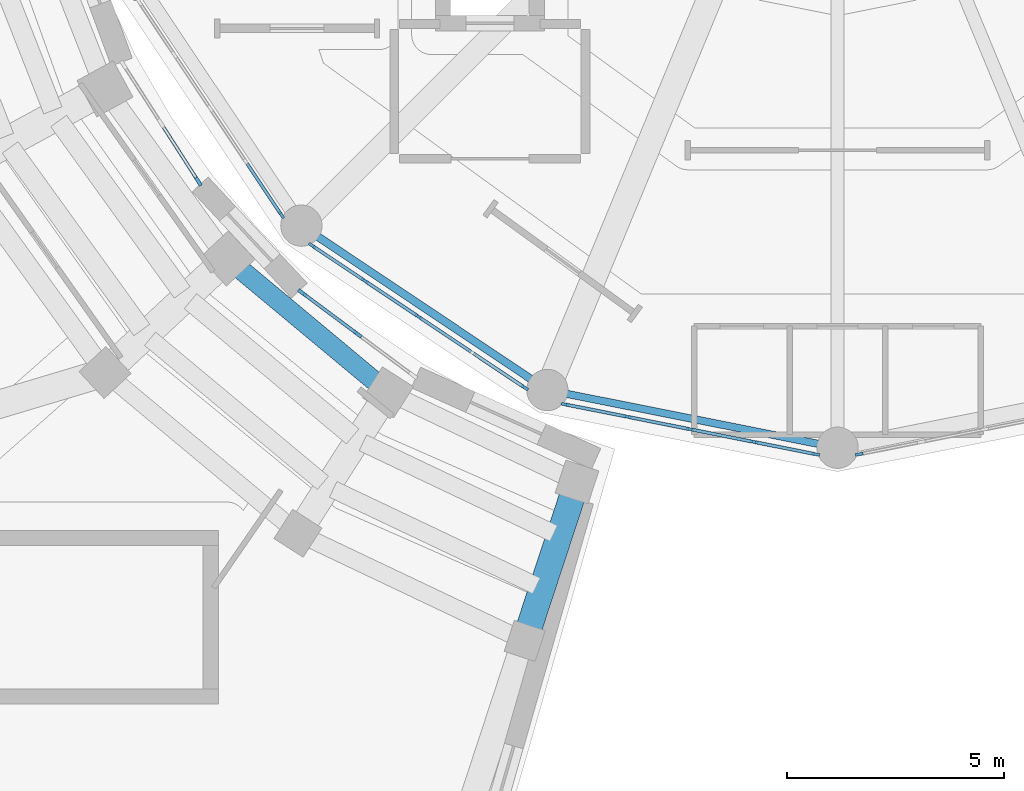
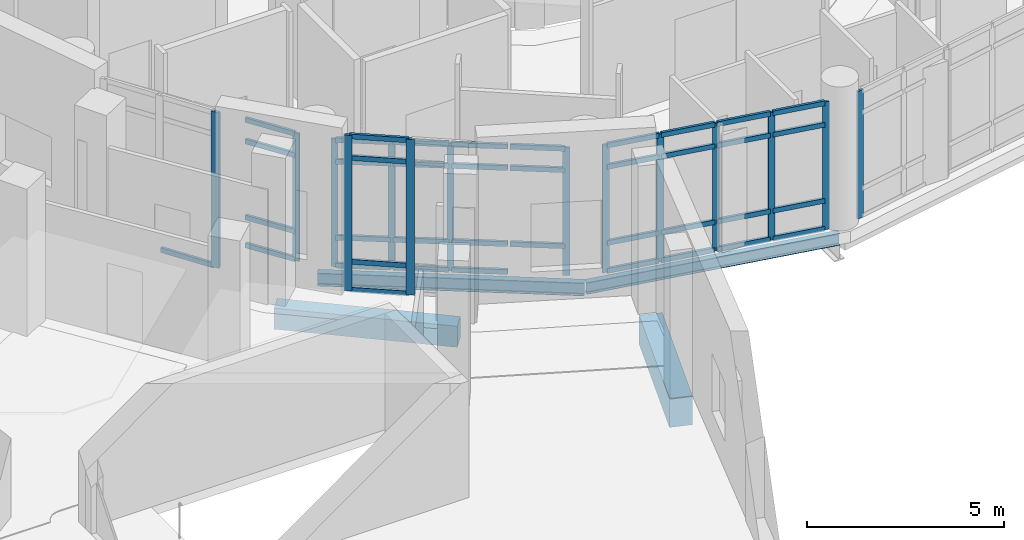
# One storey, part 12 of 89: 54 members, 4 beams, 6 elements without a shape of their own.
"""IFC4 building model written with IfcOpenShell, lengths in metres."""

from ifc_helpers import new_model, si_unit, direction, frame, origin, origin_2d, place, context, subcontext, project, spatial, rectangle, i_section, extrude, material, material_profile, profile_set, type_object, element, aggregate, save


model = new_model("IFC4")

# Units and contexts
model_context = context("Model", 3, precision=1e-05, world=origin(), true_north=direction((0.0, 1.0)))
body_context = subcontext(model_context, "Body", "Model", "MODEL_VIEW")
ifc_project = project(units=[si_unit("LENGTHUNIT", "METRE"), si_unit("AREAUNIT", "SQUARE_METRE"), si_unit("VOLUMEUNIT", "CUBIC_METRE"), si_unit("PLANEANGLEUNIT", "RADIAN"), si_unit("MASSUNIT", "GRAM", prefix="KILO")], contexts=[model_context])

# Site, building, storey
site_placement = place(None, origin())
site = spatial("IfcSite", under=ifc_project, at=site_placement, CompositionType="ELEMENT")
building_placement = place(site_placement, origin())
building = spatial("IfcBuilding", under=site, at=building_placement, Name="Soyqirgoq Riverine Aquarium", CompositionType="ELEMENT")
storey_placement = place(building_placement, frame((0.0, 0.0, 5.39990234375)))
storey = spatial("IfcBuildingStorey", under=building, at=storey_placement, Name="L02", CompositionType="ELEMENT", Elevation=5.39990234375)

# Beam
ifc_material_1 = material(Name="Concrete C40/50", Category="concrete")
ifc_material_profile_1 = material_profile(ifc_material_1, rectangle(XDim=0.449951171875, YDim=0.64990234375, at=origin_2d()), Name="RC 450x650")
ifc_profile_set_1 = profile_set([ifc_material_profile_1], Name="Concrete C40/50")
beam_type_1 = type_object("IfcBeamType", Name="Beam_RC_450x650", PredefinedType="BEAM", material=ifc_profile_set_1)
beam_1_placement = place(storey_placement, frame((41.996337890625, 43.87353515625, -0.60498046875), z_axis=(0.768301951525, -0.640087580948, 0.0), x_axis=(0.640087580948, 0.768301951525, 0.0)))
element("IfcBeam", 1, at=beam_1_placement, inside=storey, type_object=beam_type_1, Name="V2 L02 Wedge Chord Beam 0257", PredefinedType="BEAM", context=body_context, shape_type="SweptSolid", body=[
    extrude(rectangle(XDim=0.449951171875, YDim=0.64990234375, at=origin_2d()), origin(), (0.0, 0.0, 1.0), 4.712890625),
])

# Curtain wall, member
ifc_material_2 = material(Name="Anodised aluminium thermally broken triple low-E glazing", Category="aluminium")
curtain_wall_type_1 = type_object("IfcCurtainWallType", Name="CW_DrumGallery_Unitised", PredefinedType="NOTDEFINED", material=ifc_material_2)
curtain_wall_1_placement = place(storey_placement, origin())
curtain_wall_1 = element("IfcCurtainWall", 2, at=curtain_wall_1_placement, inside=storey, type_object=curtain_wall_type_1, Name="V1 L02 Curtain Wall 035", PredefinedType="NOTDEFINED")
ifc_material_3 = material(Name="Anodised aluminium 6063-T6", Category="aluminium")
ifc_material_profile_2 = material_profile(ifc_material_3, rectangle(XDim=0.06494140625, YDim=0.179931640625, at=origin_2d()), Name="ALU-M 65x180")
ifc_profile_set_2 = profile_set([ifc_material_profile_2], Name="Anodised aluminium 6063-T6")
member_type_1 = type_object("IfcMemberType", Name="CWMullion_65x180", PredefinedType="MULLION", material=ifc_profile_set_2)
member_1_placement = place(storey_placement, frame((43.200439453125, 44.908935546875, 0.0), z_axis=(0.0, 0.0, 1.0), x_axis=(0.8314732256, 0.5555648253, 0.0)))
member_1 = element("IfcMember", 3, at=member_1_placement, type_object=member_type_1, Name="CW-01 mullion 5", PredefinedType="MULLION", context=body_context, shape_type="SweptSolid", body=[
    extrude(rectangle(XDim=0.06494140625, YDim=0.179931640625, at=origin_2d()), origin(), (0.0, 0.0, 1.0), 3.9501953125),
])

# Curtain wall, members
curtain_wall_2_placement = place(storey_placement, origin())
curtain_wall_2 = element("IfcCurtainWall", 4, at=curtain_wall_2_placement, inside=storey, type_object=curtain_wall_type_1, Name="V1 L02 Curtain Wall 042", PredefinedType="NOTDEFINED")
member_2_placement = place(storey_placement, frame((43.908935546875, 44.200439453125, 0.0), z_axis=(0.0, 0.0, 1.0), x_axis=(0.5555648253, 0.8314732256, 0.0)))
member_2 = element("IfcMember", 5, at=member_2_placement, type_object=member_type_1, Name="CW-01 mullion 1", PredefinedType="MULLION", context=body_context, shape_type="SweptSolid", body=[
    extrude(rectangle(XDim=0.06494140625, YDim=0.179931640625, at=origin_2d()), origin(), (0.0, 0.0, 1.0), 3.9501953125),
])
member_3_placement = place(storey_placement, frame((45.11865234375, 43.39208984375, 0.0), z_axis=(0.0, 0.0, 1.0), x_axis=(0.5555648253, 0.8314732256, 0.0)))
member_3 = element("IfcMember", 6, at=member_3_placement, type_object=member_type_1, Name="CW-01 mullion 2", PredefinedType="MULLION", context=body_context, shape_type="SweptSolid", body=[
    extrude(rectangle(XDim=0.06494140625, YDim=0.179931640625, at=origin_2d()), origin(), (0.0, 0.0, 1.0), 3.9501953125),
])
member_4_placement = place(storey_placement, frame((46.35546875, 42.565673828125, 0.0), z_axis=(0.0, 0.0, 1.0), x_axis=(0.5555648253, 0.8314732256, 0.0)))
member_4 = element("IfcMember", 7, at=member_4_placement, type_object=member_type_1, Name="CW-01 mullion 3", PredefinedType="MULLION", context=body_context, shape_type="SweptSolid", body=[
    extrude(rectangle(XDim=0.06494140625, YDim=0.179931640625, at=origin_2d()), origin(), (0.0, 0.0, 1.0), 3.9501953125),
])
member_5_placement = place(storey_placement, frame((48.8017578125, 40.93115234375, 0.0), z_axis=(0.0, 0.0, 1.0), x_axis=(0.5555648253, 0.8314732256, 0.0)))
member_5 = element("IfcMember", 8, at=member_5_placement, type_object=member_type_1, Name="CW-01 mullion 5", PredefinedType="MULLION", context=body_context, shape_type="SweptSolid", body=[
    extrude(rectangle(XDim=0.06494140625, YDim=0.179931640625, at=origin_2d()), origin(), (0.0, 0.0, 1.0), 3.9501953125),
])

curtain_wall_3_placement = place(storey_placement, origin())
curtain_wall_3 = element("IfcCurtainWall", 9, at=curtain_wall_3_placement, inside=storey, type_object=curtain_wall_type_1, Name="V1 L02 Curtain Wall 049", PredefinedType="NOTDEFINED")
member_6_placement = place(storey_placement, frame((49.7275390625, 40.547607421875, 0.0), z_axis=(0.0, 0.0, 1.0), x_axis=(0.195088165618, 0.980785709335, 0.0)))
member_6 = element("IfcMember", 10, at=member_6_placement, type_object=member_type_1, Name="CW-01 mullion 1", PredefinedType="MULLION", context=body_context, shape_type="SweptSolid", body=[
    extrude(rectangle(XDim=0.06494140625, YDim=0.179931640625, at=origin_2d()), origin(), (0.0, 0.0, 1.0), 3.9501953125),
])
member_7_placement = place(storey_placement, frame((51.154541015625, 40.263916015625, 0.0), z_axis=(0.0, 0.0, 1.0), x_axis=(0.195088165618, 0.980785709335, 0.0)))
member_7 = element("IfcMember", 11, at=member_7_placement, type_object=member_type_1, Name="CW-01 mullion 2", PredefinedType="MULLION", context=body_context, shape_type="SweptSolid", body=[
    extrude(rectangle(XDim=0.06494140625, YDim=0.179931640625, at=origin_2d()), origin(), (0.0, 0.0, 1.0), 3.9501953125),
])
member_8_placement = place(storey_placement, frame((52.61328125, 39.9736328125, 0.0), z_axis=(0.0, 0.0, 1.0), x_axis=(0.195088165618, 0.980785709335, 0.0)))
member_8 = element("IfcMember", 12, at=member_8_placement, type_object=member_type_1, Name="CW-01 mullion 3", PredefinedType="MULLION", context=body_context, shape_type="SweptSolid", body=[
    extrude(rectangle(XDim=0.06494140625, YDim=0.179931640625, at=origin_2d()), origin(), (0.0, 0.0, 1.0), 3.9501953125),
])
member_9_placement = place(storey_placement, frame((54.072021484375, 39.68359375, 0.0), z_axis=(0.0, 0.0, 1.0), x_axis=(0.195088165618, 0.980785709335, 0.0)))
member_9 = element("IfcMember", 13, at=member_9_placement, type_object=member_type_1, Name="CW-01 mullion 4", PredefinedType="MULLION", context=body_context, shape_type="SweptSolid", body=[
    extrude(rectangle(XDim=0.06494140625, YDim=0.179931640625, at=origin_2d()), origin(), (0.0, 0.0, 1.0), 3.9501953125),
])
member_10_placement = place(storey_placement, frame((55.4990234375, 39.399658203125, 0.0), z_axis=(0.0, 0.0, 1.0), x_axis=(0.195088165618, 0.980785709335, 0.0)))
member_10 = element("IfcMember", 14, at=member_10_placement, type_object=member_type_1, Name="CW-01 mullion 5", PredefinedType="MULLION", context=body_context, shape_type="SweptSolid", body=[
    extrude(rectangle(XDim=0.06494140625, YDim=0.179931640625, at=origin_2d()), origin(), (0.0, 0.0, 1.0), 3.9501953125),
])

# Curtain wall, member
curtain_wall_4_placement = place(storey_placement, origin())
curtain_wall_4 = element("IfcCurtainWall", 15, at=curtain_wall_4_placement, inside=storey, type_object=curtain_wall_type_1, Name="V1 L02 Curtain Wall 056", PredefinedType="NOTDEFINED")
member_11_placement = place(storey_placement, frame((56.5009765625, 39.399658203125, 0.0), z_axis=(0.0, 0.0, 1.0), x_axis=(-0.195088165618, 0.980785709335, 0.0)))
member_11 = element("IfcMember", 16, at=member_11_placement, type_object=member_type_1, Name="CW-01 mullion 1", PredefinedType="MULLION", context=body_context, shape_type="SweptSolid", body=[
    extrude(rectangle(XDim=0.06494140625, YDim=0.179931640625, at=origin_2d()), origin(), (0.0, 0.0, 1.0), 3.9501953125),
])
aggregate(curtain_wall_4, [member_11])

ifc_material_4 = material(Name="Anodised aluminium thermally broken double low-E glazing", Category="aluminium")
curtain_wall_type_2 = type_object("IfcCurtainWallType", Name="CW_Wedge_NorthBay", PredefinedType="NOTDEFINED", material=ifc_material_4)
curtain_wall_5_placement = place(storey_placement, origin())
curtain_wall_5 = element("IfcCurtainWall", 17, at=curtain_wall_5_placement, inside=storey, type_object=curtain_wall_type_2, Name="V2 L02 Curtain Wall 081", PredefinedType="NOTDEFINED")
ifc_material_5 = material(Name="Anodised aluminium 6063-T6", Category="aluminium")
ifc_material_profile_3 = material_profile(ifc_material_5, rectangle(XDim=0.080078125, YDim=0.219970703125, at=origin_2d()), Name="ALU-M 80x220")
ifc_profile_set_3 = profile_set([ifc_material_profile_3], Name="Anodised aluminium 6063-T6")
member_type_2 = type_object("IfcMemberType", Name="CWMullion_80x220", PredefinedType="MULLION", material=ifc_profile_set_3)
member_12_placement = place(storey_placement, frame((41.2900390625, 45.677001953125, 0.0), z_axis=(0.0, 0.0, 1.0), x_axis=(0.841818826764, 0.539760190183, 0.0)))
member_12 = element("IfcMember", 18, at=member_12_placement, type_object=member_type_2, Name="CW-03 mullion 3", PredefinedType="MULLION", context=body_context, shape_type="SweptSolid", body=[
    extrude(rectangle(XDim=0.080078125, YDim=0.219970703125, at=origin_2d()), origin(), (0.0, 0.0, 1.0), 4.81005859375),
])

# Curtain wall, members
curtain_wall_6_placement = place(storey_placement, origin())
curtain_wall_6 = element("IfcCurtainWall", 19, at=curtain_wall_6_placement, inside=storey, type_object=curtain_wall_type_2, Name="V2 L02 Curtain Wall 082", PredefinedType="NOTDEFINED")
member_13_placement = place(storey_placement, frame((43.678466796875, 43.11572265625, 0.0), z_axis=(0.0, 0.0, 1.0), x_axis=(0.597148753982, 0.802130516573, 0.0)))
member_13 = element("IfcMember", 20, at=member_13_placement, type_object=member_type_2, Name="CW-03 mullion 1", PredefinedType="MULLION", context=body_context, shape_type="SweptSolid", body=[
    extrude(rectangle(XDim=0.080078125, YDim=0.219970703125, at=origin_2d()), origin(), (0.0, 0.0, 1.0), 4.81005859375),
])
member_14_placement = place(storey_placement, frame((44.95556640625, 42.164794921875, 0.0), z_axis=(0.0, 0.0, 1.0), x_axis=(0.597148753982, 0.802130516573, 0.0)))
member_14 = element("IfcMember", 21, at=member_14_placement, type_object=member_type_2, Name="CW-03 mullion 2", PredefinedType="MULLION", context=body_context, shape_type="SweptSolid", body=[
    extrude(rectangle(XDim=0.080078125, YDim=0.219970703125, at=origin_2d()), origin(), (0.0, 0.0, 1.0), 4.81005859375),
])

# Member
ifc_material_6 = material(Name="Anodised aluminium 6063-T6", Category="aluminium")
ifc_material_profile_4 = material_profile(ifc_material_6, rectangle(XDim=0.074951171875, YDim=0.14990234375, at=origin_2d()), Name="ALU-T 75x150")
ifc_profile_set_4 = profile_set([ifc_material_profile_4], Name="Anodised aluminium 6063-T6")
member_type_3 = type_object("IfcMemberType", Name="CWTransom_75x150", PredefinedType="USERDEFINED", material=ifc_profile_set_4)
member_15_placement = place(storey_placement, frame((42.41015625, 46.091552734375, 0.03759765625), z_axis=(0.555551087144, -0.831482404849, 0.0), x_axis=(0.831482404849, 0.555551087144, 0.0)))
member_15 = element("IfcMember", 22, at=member_15_placement, type_object=member_type_3, Name="CW-01 transom 4.1", ObjectType="TRANSOM", PredefinedType="USERDEFINED", context=body_context, shape_type="SweptSolid", body=[
    extrude(rectangle(XDim=0.074951171875, YDim=0.14990234375, at=origin_2d()), origin(), (0.0, 0.0, 1.0), 1.389892578125),
])

member_16_placement = place(storey_placement, frame((42.41015625, 46.091552734375, 0.900146484375), z_axis=(0.555551087144, -0.831482404849, 0.0), x_axis=(0.831482404849, 0.555551087144, 0.0)))
member_16 = element("IfcMember", 23, at=member_16_placement, type_object=member_type_3, Name="CW-01 transom 4.2", ObjectType="TRANSOM", PredefinedType="USERDEFINED", context=body_context, shape_type="SweptSolid", body=[
    extrude(rectangle(XDim=0.074951171875, YDim=0.14990234375, at=origin_2d()), origin(), (0.0, 0.0, 1.0), 1.389892578125),
])

member_17_placement = place(storey_placement, frame((42.41015625, 46.091552734375, 3.25), z_axis=(0.555551087144, -0.831482404849, 0.0), x_axis=(0.831482404849, 0.555551087144, 0.0)))
member_17 = element("IfcMember", 24, at=member_17_placement, type_object=member_type_3, Name="CW-01 transom 4.3", ObjectType="TRANSOM", PredefinedType="USERDEFINED", context=body_context, shape_type="SweptSolid", body=[
    extrude(rectangle(XDim=0.074951171875, YDim=0.14990234375, at=origin_2d()), origin(), (0.0, 0.0, 1.0), 1.389892578125),
])

member_18_placement = place(storey_placement, frame((42.41015625, 46.091552734375, 3.91259765625), z_axis=(0.555551087144, -0.831482404849, 0.0), x_axis=(0.831482404849, 0.555551087144, 0.0)))
member_18 = element("IfcMember", 25, at=member_18_placement, type_object=member_type_3, Name="CW-01 transom 4.4", ObjectType="TRANSOM", PredefinedType="USERDEFINED", context=body_context, shape_type="SweptSolid", body=[
    extrude(rectangle(XDim=0.074951171875, YDim=0.14990234375, at=origin_2d()), origin(), (0.0, 0.0, 1.0), 1.389892578125),
])

aggregate(curtain_wall_1, [member_1, member_15, member_16, member_17, member_18])

member_19_placement = place(storey_placement, frame((43.935791015625, 44.182373046875, 0.03759765625), z_axis=(0.831482404849, -0.555551087144, 0.0), x_axis=(0.555551087144, 0.831482404849, 0.0)))
member_19 = element("IfcMember", 26, at=member_19_placement, type_object=member_type_3, Name="CW-01 transom 1.1", ObjectType="TRANSOM", PredefinedType="USERDEFINED", context=body_context, shape_type="SweptSolid", body=[
    extrude(rectangle(XDim=0.074951171875, YDim=0.14990234375, at=origin_2d()), origin(), (0.0, 0.0, 1.0), 1.389892578125),
])

member_20_placement = place(storey_placement, frame((43.935791015625, 44.182373046875, 0.900146484375), z_axis=(0.831482404849, -0.555551087144, 0.0), x_axis=(0.555551087144, 0.831482404849, 0.0)))
member_20 = element("IfcMember", 27, at=member_20_placement, type_object=member_type_3, Name="CW-01 transom 1.2", ObjectType="TRANSOM", PredefinedType="USERDEFINED", context=body_context, shape_type="SweptSolid", body=[
    extrude(rectangle(XDim=0.074951171875, YDim=0.14990234375, at=origin_2d()), origin(), (0.0, 0.0, 1.0), 1.389892578125),
])

member_21_placement = place(storey_placement, frame((43.935791015625, 44.182373046875, 3.25), z_axis=(0.831482404849, -0.555551087144, 0.0), x_axis=(0.555551087144, 0.831482404849, 0.0)))
member_21 = element("IfcMember", 28, at=member_21_placement, type_object=member_type_3, Name="CW-01 transom 1.3", ObjectType="TRANSOM", PredefinedType="USERDEFINED", context=body_context, shape_type="SweptSolid", body=[
    extrude(rectangle(XDim=0.074951171875, YDim=0.14990234375, at=origin_2d()), origin(), (0.0, 0.0, 1.0), 1.389892578125),
])

member_22_placement = place(storey_placement, frame((43.935791015625, 44.182373046875, 3.91259765625), z_axis=(0.831482404849, -0.555551087144, 0.0), x_axis=(0.555551087144, 0.831482404849, 0.0)))
member_22 = element("IfcMember", 29, at=member_22_placement, type_object=member_type_3, Name="CW-01 transom 1.4", ObjectType="TRANSOM", PredefinedType="USERDEFINED", context=body_context, shape_type="SweptSolid", body=[
    extrude(rectangle(XDim=0.074951171875, YDim=0.14990234375, at=origin_2d()), origin(), (0.0, 0.0, 1.0), 1.389892578125),
])

member_23_placement = place(storey_placement, frame((45.1455078125, 43.3740234375, 0.03759765625), z_axis=(0.831495416377, -0.555531612552, 0.0), x_axis=(0.555531612552, 0.831495416377, 0.0)))
member_23 = element("IfcMember", 30, at=member_23_placement, type_object=member_type_3, Name="CW-01 transom 2.1", ObjectType="TRANSOM", PredefinedType="USERDEFINED", context=body_context, shape_type="SweptSolid", body=[
    extrude(rectangle(XDim=0.074951171875, YDim=0.14990234375, at=origin_2d()), origin(), (0.0, 0.0, 1.0), 1.422607421875),
])

member_24_placement = place(storey_placement, frame((45.1455078125, 43.3740234375, 0.900146484375), z_axis=(0.831495416377, -0.555531612552, 0.0), x_axis=(0.555531612552, 0.831495416377, 0.0)))
member_24 = element("IfcMember", 31, at=member_24_placement, type_object=member_type_3, Name="CW-01 transom 2.2", ObjectType="TRANSOM", PredefinedType="USERDEFINED", context=body_context, shape_type="SweptSolid", body=[
    extrude(rectangle(XDim=0.074951171875, YDim=0.14990234375, at=origin_2d()), origin(), (0.0, 0.0, 1.0), 1.422607421875),
])

member_25_placement = place(storey_placement, frame((45.1455078125, 43.3740234375, 3.25), z_axis=(0.831495416377, -0.555531612552, 0.0), x_axis=(0.555531612552, 0.831495416377, 0.0)))
member_25 = element("IfcMember", 32, at=member_25_placement, type_object=member_type_3, Name="CW-01 transom 2.3", ObjectType="TRANSOM", PredefinedType="USERDEFINED", context=body_context, shape_type="SweptSolid", body=[
    extrude(rectangle(XDim=0.074951171875, YDim=0.14990234375, at=origin_2d()), origin(), (0.0, 0.0, 1.0), 1.422607421875),
])

member_26_placement = place(storey_placement, frame((45.1455078125, 43.3740234375, 3.91259765625), z_axis=(0.831495416377, -0.555531612552, 0.0), x_axis=(0.555531612552, 0.831495416377, 0.0)))
member_26 = element("IfcMember", 33, at=member_26_placement, type_object=member_type_3, Name="CW-01 transom 2.4", ObjectType="TRANSOM", PredefinedType="USERDEFINED", context=body_context, shape_type="SweptSolid", body=[
    extrude(rectangle(XDim=0.074951171875, YDim=0.14990234375, at=origin_2d()), origin(), (0.0, 0.0, 1.0), 1.422607421875),
])

member_27_placement = place(storey_placement, frame((46.38232421875, 42.547607421875, 0.03759765625), z_axis=(0.831495416377, -0.555531612552, 0.0), x_axis=(0.555531612552, 0.831495416377, 0.0)))
member_27 = element("IfcMember", 34, at=member_27_placement, type_object=member_type_3, Name="CW-01 transom 3.1", ObjectType="TRANSOM", PredefinedType="USERDEFINED", context=body_context, shape_type="SweptSolid", body=[
    extrude(rectangle(XDim=0.074951171875, YDim=0.14990234375, at=origin_2d()), origin(), (0.0, 0.0, 1.0), 1.422607421875),
])

member_28_placement = place(storey_placement, frame((46.38232421875, 42.547607421875, 0.900146484375), z_axis=(0.831495416377, -0.555531612552, 0.0), x_axis=(0.555531612552, 0.831495416377, 0.0)))
member_28 = element("IfcMember", 35, at=member_28_placement, type_object=member_type_3, Name="CW-01 transom 3.2", ObjectType="TRANSOM", PredefinedType="USERDEFINED", context=body_context, shape_type="SweptSolid", body=[
    extrude(rectangle(XDim=0.074951171875, YDim=0.14990234375, at=origin_2d()), origin(), (0.0, 0.0, 1.0), 1.422607421875),
])

member_29_placement = place(storey_placement, frame((46.38232421875, 42.547607421875, 3.25), z_axis=(0.831495416377, -0.555531612552, 0.0), x_axis=(0.555531612552, 0.831495416377, 0.0)))
member_29 = element("IfcMember", 36, at=member_29_placement, type_object=member_type_3, Name="CW-01 transom 3.3", ObjectType="TRANSOM", PredefinedType="USERDEFINED", context=body_context, shape_type="SweptSolid", body=[
    extrude(rectangle(XDim=0.074951171875, YDim=0.14990234375, at=origin_2d()), origin(), (0.0, 0.0, 1.0), 1.422607421875),
])

member_30_placement = place(storey_placement, frame((46.38232421875, 42.547607421875, 3.91259765625), z_axis=(0.831495416377, -0.555531612552, 0.0), x_axis=(0.555531612552, 0.831495416377, 0.0)))
member_30 = element("IfcMember", 37, at=member_30_placement, type_object=member_type_3, Name="CW-01 transom 3.4", ObjectType="TRANSOM", PredefinedType="USERDEFINED", context=body_context, shape_type="SweptSolid", body=[
    extrude(rectangle(XDim=0.074951171875, YDim=0.14990234375, at=origin_2d()), origin(), (0.0, 0.0, 1.0), 1.422607421875),
])

member_31_placement = place(storey_placement, frame((47.619140625, 41.721435546875, 0.900146484375), z_axis=(0.831482404849, -0.555551087144, 0.0), x_axis=(0.555551087144, 0.831482404849, 0.0)))
member_31 = element("IfcMember", 38, at=member_31_placement, type_object=member_type_3, Name="CW-01 transom 4.2", ObjectType="TRANSOM", PredefinedType="USERDEFINED", context=body_context, shape_type="SweptSolid", body=[
    extrude(rectangle(XDim=0.074951171875, YDim=0.14990234375, at=origin_2d()), origin(), (0.0, 0.0, 1.0), 1.389892578125),
])

member_32_placement = place(storey_placement, frame((47.619140625, 41.721435546875, 3.25), z_axis=(0.831482404849, -0.555551087144, 0.0), x_axis=(0.555551087144, 0.831482404849, 0.0)))
member_32 = element("IfcMember", 39, at=member_32_placement, type_object=member_type_3, Name="CW-01 transom 4.3", ObjectType="TRANSOM", PredefinedType="USERDEFINED", context=body_context, shape_type="SweptSolid", body=[
    extrude(rectangle(XDim=0.074951171875, YDim=0.14990234375, at=origin_2d()), origin(), (0.0, 0.0, 1.0), 1.389892578125),
])

member_33_placement = place(storey_placement, frame((47.619140625, 41.721435546875, 3.91259765625), z_axis=(0.831482404849, -0.555551087144, 0.0), x_axis=(0.555551087144, 0.831482404849, 0.0)))
member_33 = element("IfcMember", 40, at=member_33_placement, type_object=member_type_3, Name="CW-01 transom 4.4", ObjectType="TRANSOM", PredefinedType="USERDEFINED", context=body_context, shape_type="SweptSolid", body=[
    extrude(rectangle(XDim=0.074951171875, YDim=0.14990234375, at=origin_2d()), origin(), (0.0, 0.0, 1.0), 1.389892578125),
])

aggregate(curtain_wall_2, [member_2, member_3, member_4, member_5, member_19, member_20, member_21, member_22, member_23, member_24, member_25, member_26, member_27, member_28, member_29, member_30, member_31, member_32, member_33])

member_34_placement = place(storey_placement, frame((49.75927734375, 40.541259765625, 0.03759765625), z_axis=(0.980809694645, -0.194967543169, 0.0), x_axis=(0.194967543169, 0.980809694645, 0.0)))
member_34 = element("IfcMember", 41, at=member_34_placement, type_object=member_type_3, Name="CW-01 transom 1.1", ObjectType="TRANSOM", PredefinedType="USERDEFINED", context=body_context, shape_type="SweptSolid", body=[
    extrude(rectangle(XDim=0.074951171875, YDim=0.14990234375, at=origin_2d()), origin(), (0.0, 0.0, 1.0), 1.389892578125),
])

member_35_placement = place(storey_placement, frame((49.75927734375, 40.541259765625, 0.900146484375), z_axis=(0.980809694645, -0.194967543169, 0.0), x_axis=(0.194967543169, 0.980809694645, 0.0)))
member_35 = element("IfcMember", 42, at=member_35_placement, type_object=member_type_3, Name="CW-01 transom 1.2", ObjectType="TRANSOM", PredefinedType="USERDEFINED", context=body_context, shape_type="SweptSolid", body=[
    extrude(rectangle(XDim=0.074951171875, YDim=0.14990234375, at=origin_2d()), origin(), (0.0, 0.0, 1.0), 1.389892578125),
])

member_36_placement = place(storey_placement, frame((49.75927734375, 40.541259765625, 3.25), z_axis=(0.980809694645, -0.194967543169, 0.0), x_axis=(0.194967543169, 0.980809694645, 0.0)))
member_36 = element("IfcMember", 43, at=member_36_placement, type_object=member_type_3, Name="CW-01 transom 1.3", ObjectType="TRANSOM", PredefinedType="USERDEFINED", context=body_context, shape_type="SweptSolid", body=[
    extrude(rectangle(XDim=0.074951171875, YDim=0.14990234375, at=origin_2d()), origin(), (0.0, 0.0, 1.0), 1.389892578125),
])

member_37_placement = place(storey_placement, frame((49.75927734375, 40.541259765625, 3.91259765625), z_axis=(0.980809694645, -0.194967543169, 0.0), x_axis=(0.194967543169, 0.980809694645, 0.0)))
member_37 = element("IfcMember", 44, at=member_37_placement, type_object=member_type_3, Name="CW-01 transom 1.4", ObjectType="TRANSOM", PredefinedType="USERDEFINED", context=body_context, shape_type="SweptSolid", body=[
    extrude(rectangle(XDim=0.074951171875, YDim=0.14990234375, at=origin_2d()), origin(), (0.0, 0.0, 1.0), 1.389892578125),
])

member_38_placement = place(storey_placement, frame((51.186279296875, 40.257568359375, 0.03759765625), z_axis=(0.980771657116, -0.195158798415, 0.0), x_axis=(0.195158798415, 0.980771657116, 0.0)))
member_38 = element("IfcMember", 45, at=member_38_placement, type_object=member_type_3, Name="CW-01 transom 2.1", ObjectType="TRANSOM", PredefinedType="USERDEFINED", context=body_context, shape_type="SweptSolid", body=[
    extrude(rectangle(XDim=0.074951171875, YDim=0.14990234375, at=origin_2d()), origin(), (0.0, 0.0, 1.0), 1.42236328125),
])

member_39_placement = place(storey_placement, frame((51.186279296875, 40.257568359375, 0.900146484375), z_axis=(0.980771657116, -0.195158798415, 0.0), x_axis=(0.195158798415, 0.980771657116, 0.0)))
member_39 = element("IfcMember", 46, at=member_39_placement, type_object=member_type_3, Name="CW-01 transom 2.2", ObjectType="TRANSOM", PredefinedType="USERDEFINED", context=body_context, shape_type="SweptSolid", body=[
    extrude(rectangle(XDim=0.074951171875, YDim=0.14990234375, at=origin_2d()), origin(), (0.0, 0.0, 1.0), 1.42236328125),
])

member_40_placement = place(storey_placement, frame((51.186279296875, 40.257568359375, 3.25), z_axis=(0.980771657116, -0.195158798415, 0.0), x_axis=(0.195158798415, 0.980771657116, 0.0)))
member_40 = element("IfcMember", 47, at=member_40_placement, type_object=member_type_3, Name="CW-01 transom 2.3", ObjectType="TRANSOM", PredefinedType="USERDEFINED", context=body_context, shape_type="SweptSolid", body=[
    extrude(rectangle(XDim=0.074951171875, YDim=0.14990234375, at=origin_2d()), origin(), (0.0, 0.0, 1.0), 1.42236328125),
])

member_41_placement = place(storey_placement, frame((51.186279296875, 40.257568359375, 3.91259765625), z_axis=(0.980771657116, -0.195158798415, 0.0), x_axis=(0.195158798415, 0.980771657116, 0.0)))
member_41 = element("IfcMember", 48, at=member_41_placement, type_object=member_type_3, Name="CW-01 transom 2.4", ObjectType="TRANSOM", PredefinedType="USERDEFINED", context=body_context, shape_type="SweptSolid", body=[
    extrude(rectangle(XDim=0.074951171875, YDim=0.14990234375, at=origin_2d()), origin(), (0.0, 0.0, 1.0), 1.42236328125),
])

member_42_placement = place(storey_placement, frame((52.64501953125, 39.96728515625, 0.03759765625), z_axis=(0.980778192848, -0.195125950178, 0.0), x_axis=(0.195125950178, 0.980778192848, 0.0)))
member_42 = element("IfcMember", 49, at=member_42_placement, type_object=member_type_3, Name="CW-01 transom 3.1", ObjectType="TRANSOM", PredefinedType="USERDEFINED", context=body_context, shape_type="SweptSolid", body=[
    extrude(rectangle(XDim=0.074951171875, YDim=0.14990234375, at=origin_2d()), origin(), (0.0, 0.0, 1.0), 1.422607421875),
])

member_43_placement = place(storey_placement, frame((52.64501953125, 39.96728515625, 0.900146484375), z_axis=(0.980778192848, -0.195125950178, 0.0), x_axis=(0.195125950178, 0.980778192848, 0.0)))
member_43 = element("IfcMember", 50, at=member_43_placement, type_object=member_type_3, Name="CW-01 transom 3.2", ObjectType="TRANSOM", PredefinedType="USERDEFINED", context=body_context, shape_type="SweptSolid", body=[
    extrude(rectangle(XDim=0.074951171875, YDim=0.14990234375, at=origin_2d()), origin(), (0.0, 0.0, 1.0), 1.422607421875),
])

member_44_placement = place(storey_placement, frame((52.64501953125, 39.96728515625, 3.25), z_axis=(0.980778192848, -0.195125950178, 0.0), x_axis=(0.195125950178, 0.980778192848, 0.0)))
member_44 = element("IfcMember", 51, at=member_44_placement, type_object=member_type_3, Name="CW-01 transom 3.3", ObjectType="TRANSOM", PredefinedType="USERDEFINED", context=body_context, shape_type="SweptSolid", body=[
    extrude(rectangle(XDim=0.074951171875, YDim=0.14990234375, at=origin_2d()), origin(), (0.0, 0.0, 1.0), 1.422607421875),
])

member_45_placement = place(storey_placement, frame((52.64501953125, 39.96728515625, 3.91259765625), z_axis=(0.980778192848, -0.195125950178, 0.0), x_axis=(0.195125950178, 0.980778192848, 0.0)))
member_45 = element("IfcMember", 52, at=member_45_placement, type_object=member_type_3, Name="CW-01 transom 3.4", ObjectType="TRANSOM", PredefinedType="USERDEFINED", context=body_context, shape_type="SweptSolid", body=[
    extrude(rectangle(XDim=0.074951171875, YDim=0.14990234375, at=origin_2d()), origin(), (0.0, 0.0, 1.0), 1.422607421875),
])

member_46_placement = place(storey_placement, frame((54.10400390625, 39.67724609375, 0.03759765625), z_axis=(0.980769403258, -0.195170124847, 0.0), x_axis=(0.195170124847, 0.980769403258, 0.0)))
member_46 = element("IfcMember", 53, at=member_46_placement, type_object=member_type_3, Name="CW-01 transom 4.1", ObjectType="TRANSOM", PredefinedType="USERDEFINED", context=body_context, shape_type="SweptSolid", body=[
    extrude(rectangle(XDim=0.074951171875, YDim=0.14990234375, at=origin_2d()), origin(), (0.0, 0.0, 1.0), 1.3896484375),
])

member_47_placement = place(storey_placement, frame((54.10400390625, 39.67724609375, 0.900146484375), z_axis=(0.980769403258, -0.195170124847, 0.0), x_axis=(0.195170124847, 0.980769403258, 0.0)))
member_47 = element("IfcMember", 54, at=member_47_placement, type_object=member_type_3, Name="CW-01 transom 4.2", ObjectType="TRANSOM", PredefinedType="USERDEFINED", context=body_context, shape_type="SweptSolid", body=[
    extrude(rectangle(XDim=0.074951171875, YDim=0.14990234375, at=origin_2d()), origin(), (0.0, 0.0, 1.0), 1.3896484375),
])

member_48_placement = place(storey_placement, frame((54.10400390625, 39.67724609375, 3.25), z_axis=(0.980769403258, -0.195170124847, 0.0), x_axis=(0.195170124847, 0.980769403258, 0.0)))
member_48 = element("IfcMember", 55, at=member_48_placement, type_object=member_type_3, Name="CW-01 transom 4.3", ObjectType="TRANSOM", PredefinedType="USERDEFINED", context=body_context, shape_type="SweptSolid", body=[
    extrude(rectangle(XDim=0.074951171875, YDim=0.14990234375, at=origin_2d()), origin(), (0.0, 0.0, 1.0), 1.3896484375),
])

member_49_placement = place(storey_placement, frame((54.10400390625, 39.67724609375, 3.91259765625), z_axis=(0.980769403258, -0.195170124847, 0.0), x_axis=(0.195170124847, 0.980769403258, 0.0)))
member_49 = element("IfcMember", 56, at=member_49_placement, type_object=member_type_3, Name="CW-01 transom 4.4", ObjectType="TRANSOM", PredefinedType="USERDEFINED", context=body_context, shape_type="SweptSolid", body=[
    extrude(rectangle(XDim=0.074951171875, YDim=0.14990234375, at=origin_2d()), origin(), (0.0, 0.0, 1.0), 1.3896484375),
])

aggregate(curtain_wall_3, [member_6, member_7, member_8, member_9, member_10, member_34, member_35, member_36, member_37, member_38, member_39, member_40, member_41, member_42, member_43, member_44, member_45, member_46, member_47, member_48, member_49])

member_50_placement = place(storey_placement, frame((40.4521484375, 46.983642578125, 0.03759765625), z_axis=(0.539745335311, -0.841828351275, 0.0), x_axis=(0.841828351275, 0.539745335311, 0.0)))
member_50 = element("IfcMember", 57, at=member_50_placement, type_object=member_type_3, Name="CW-03 transom 2.1", ObjectType="TRANSOM", PredefinedType="USERDEFINED", context=body_context, shape_type="SweptSolid", body=[
    extrude(rectangle(XDim=0.074951171875, YDim=0.14990234375, at=origin_2d()), origin(), (0.0, 0.0, 1.0), 1.51220703125),
])

aggregate(curtain_wall_5, [member_12, member_50])

member_51_placement = place(storey_placement, frame((43.71044921875, 43.091796875, 0.03759765625), z_axis=(0.802145108792, -0.597129152228, 0.0), x_axis=(0.597129152228, 0.802145108792, 0.0)))
member_51 = element("IfcMember", 58, at=member_51_placement, type_object=member_type_3, Name="CW-03 transom 1.1", ObjectType="TRANSOM", PredefinedType="USERDEFINED", context=body_context, shape_type="SweptSolid", body=[
    extrude(rectangle(XDim=0.074951171875, YDim=0.14990234375, at=origin_2d()), origin(), (0.0, 0.0, 1.0), 1.512451171875),
])

member_52_placement = place(storey_placement, frame((43.71044921875, 43.091796875, 0.900146484375), z_axis=(0.802145108792, -0.597129152228, 0.0), x_axis=(0.597129152228, 0.802145108792, 0.0)))
member_52 = element("IfcMember", 59, at=member_52_placement, type_object=member_type_3, Name="CW-03 transom 1.2", ObjectType="TRANSOM", PredefinedType="USERDEFINED", context=body_context, shape_type="SweptSolid", body=[
    extrude(rectangle(XDim=0.074951171875, YDim=0.14990234375, at=origin_2d()), origin(), (0.0, 0.0, 1.0), 1.512451171875),
])

member_53_placement = place(storey_placement, frame((43.71044921875, 43.091796875, 4.110107421875), z_axis=(0.802145108792, -0.597129152228, 0.0), x_axis=(0.597129152228, 0.802145108792, 0.0)))
member_53 = element("IfcMember", 60, at=member_53_placement, type_object=member_type_3, Name="CW-03 transom 1.3", ObjectType="TRANSOM", PredefinedType="USERDEFINED", context=body_context, shape_type="SweptSolid", body=[
    extrude(rectangle(XDim=0.074951171875, YDim=0.14990234375, at=origin_2d()), origin(), (0.0, 0.0, 1.0), 1.512451171875),
])

member_54_placement = place(storey_placement, frame((43.71044921875, 43.091796875, 4.772705078125), z_axis=(0.802145108792, -0.597129152228, 0.0), x_axis=(0.597129152228, 0.802145108792, 0.0)))
member_54 = element("IfcMember", 61, at=member_54_placement, type_object=member_type_3, Name="CW-03 transom 1.4", ObjectType="TRANSOM", PredefinedType="USERDEFINED", context=body_context, shape_type="SweptSolid", body=[
    extrude(rectangle(XDim=0.074951171875, YDim=0.14990234375, at=origin_2d()), origin(), (0.0, 0.0, 1.0), 1.512451171875),
])

aggregate(curtain_wall_6, [member_13, member_14, member_51, member_52, member_53, member_54])

# Beams
ifc_material_7 = material(Name="Concrete C40/50", Category="concrete")
ifc_material_profile_5 = material_profile(ifc_material_7, rectangle(XDim=0.60009765625, YDim=0.89990234375, at=origin_2d()), Name="RC 600x900")
ifc_profile_set_5 = profile_set([ifc_material_profile_5], Name="Concrete C40/50")
beam_type_2 = type_object("IfcBeamType", Name="Girder_RC_600x900", PredefinedType="BEAM", material=ifc_profile_set_5)
beam_2_placement = place(storey_placement, frame((49.987548828125, 38.712890625, -0.72998046875), z_axis=(-0.3123186603, -0.949977396799, 0.0), x_axis=(0.949977396799, -0.3123186603, 0.0)))
element("IfcBeam", 62, at=beam_2_placement, inside=storey, type_object=beam_type_2, Name="V2 L02 Wedge Radial Girder 0251", PredefinedType="BEAM", context=body_context, shape_type="SweptSolid", body=[
    extrude(rectangle(XDim=0.60009765625, YDim=0.89990234375, at=origin_2d()), origin(), (0.0, 0.0, 1.0), 3.749755859375),
])
ifc_material_8 = material(Name="Structural steel S355", Category="steel")
ifc_material_profile_6 = material_profile(ifc_material_8, i_section(OverallWidth=0.169921875, OverallDepth=0.360107421875, WebThickness=0.008056640625, FlangeThickness=0.0126953125, FilletRadius=0.01806640625, at=origin_2d()), Name="IPE 360")
ifc_profile_set_6 = profile_set([ifc_material_profile_6], Name="Structural steel S355")
beam_type_3 = type_object("IfcBeamType", Name="Spandrel_Steel_IPE360", PredefinedType="SPANDREL", material=ifc_profile_set_6)
beam_3_placement = place(storey_placement, frame((49.341796875, 40.87451171875, -0.52978515625), z_axis=(0.980784073274, -0.195096390568, 0.0), x_axis=(0.195096390568, 0.980784073274, 0.0)))
element("IfcBeam", 63, at=beam_3_placement, inside=storey, type_object=beam_type_3, Name="V1 L02 Drum Spandrel Beam 0051", PredefinedType="SPANDREL", context=body_context, shape_type="SweptSolid", body=[
    extrude(i_section(OverallWidth=0.169921875, OverallDepth=0.360107421875, WebThickness=0.008056640625, FlangeThickness=0.0126953125, FilletRadius=0.01806640625, at=origin_2d()), origin(), (0.0, 0.0, 1.0), 6.768798828125),
])
ifc_material_9 = material(Name="Structural steel S355", Category="steel")
ifc_material_profile_7 = material_profile(ifc_material_9, i_section(OverallWidth=0.179931640625, OverallDepth=0.39990234375, WebThickness=0.008544921875, FlangeThickness=0.013427734375, FilletRadius=0.02099609375, at=origin_2d()), Name="IPE 400")
ifc_profile_set_7 = profile_set([ifc_material_profile_7], Name="Structural steel S355")
beam_type_4 = type_object("IfcBeamType", Name="Spandrel_Steel_IPE400", PredefinedType="SPANDREL", material=ifc_profile_set_7)
beam_4_placement = place(storey_placement, frame((43.677490234375, 44.64990234375, -0.5498046875), z_axis=(0.83147831173, -0.555557213186, 0.0), x_axis=(0.555557213186, 0.83147831173, 0.0)))
element("IfcBeam", 64, at=beam_4_placement, inside=storey, type_object=beam_type_4, Name="V1 L02 Drum Spandrel Beam 0049", PredefinedType="SPANDREL", context=body_context, shape_type="SweptSolid", body=[
    extrude(i_section(OverallWidth=0.179931640625, OverallDepth=0.39990234375, WebThickness=0.008544921875, FlangeThickness=0.013427734375, FilletRadius=0.02099609375, at=origin_2d()), origin(), (0.0, 0.0, 1.0), 6.768798828125),
])

save(model, "model.ifc")
